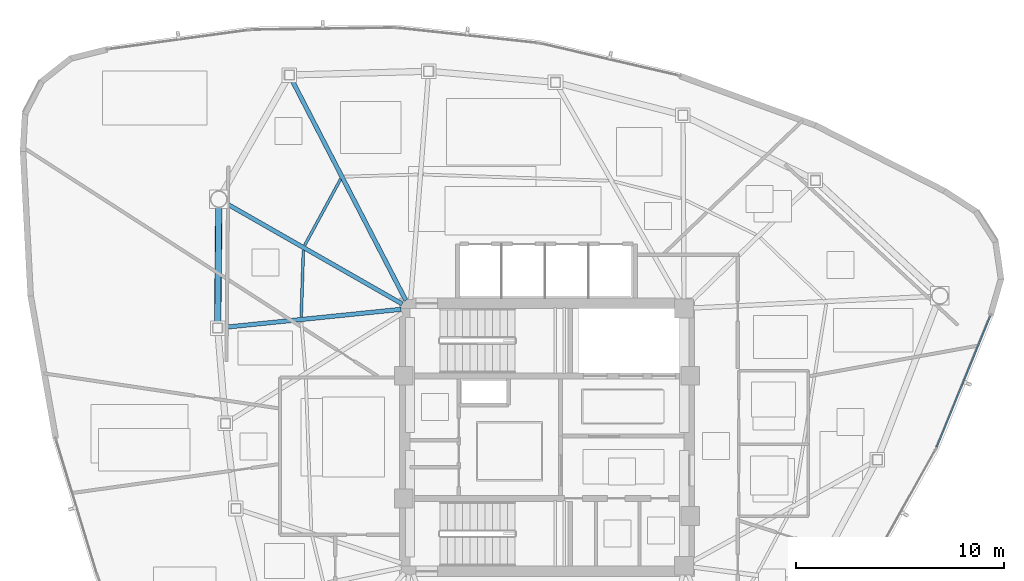
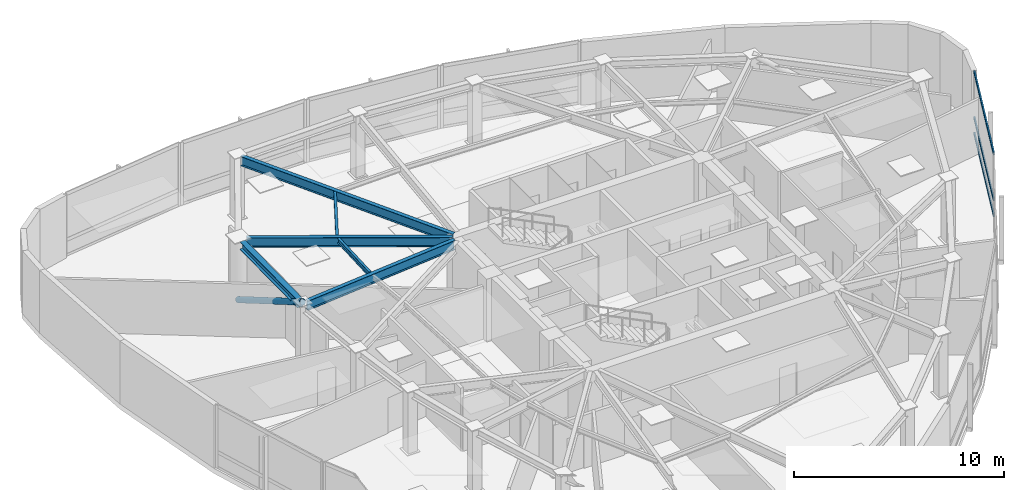
# One storey, part 5 of 14: 6 beams, 4 members, 1 element without a shape of its own.
"""IFC4 building model written with IfcOpenShell, lengths in metres."""

from ifc_helpers import new_model, si_unit, direction, frame, origin, origin_2d, place, context, subcontext, project, spatial, hollow_rectangle, hollow_circle, i_section, extrude, source, transform, mapped, material, layer, layer_set, material_profile, profile_set, type_object, type_shapes, element, aggregate, save


model = new_model("IFC4")

# Units and contexts
model_context = context("Model", 3, precision=1e-05, world=origin(), true_north=direction((0.0, 1.0)))
body_context = subcontext(model_context, "Body", "Model", "MODEL_VIEW")
ifc_project = project(units=[si_unit("LENGTHUNIT", "METRE"), si_unit("AREAUNIT", "SQUARE_METRE"), si_unit("VOLUMEUNIT", "CUBIC_METRE"), si_unit("PLANEANGLEUNIT", "RADIAN"), si_unit("MASSUNIT", "GRAM", prefix="KILO")], contexts=[model_context])

# Site, building, storey
site_placement = place(None, origin())
site = spatial("IfcSite", under=ifc_project, at=site_placement, CompositionType="ELEMENT")
building_placement = place(site_placement, origin())
building = spatial("IfcBuilding", under=site, at=building_placement, Name="Tavelor Broadcast Tower", CompositionType="ELEMENT")
storey_placement = place(building_placement, frame((0.0, 0.0, 253.75)))
storey = spatial("IfcBuildingStorey", under=building, at=storey_placement, Name="L60", CompositionType="ELEMENT", Elevation=253.75)

# Beams
ifc_material_1 = material(Name="Steel S355", Category="steel")
ifc_material_profile_1 = material_profile(ifc_material_1, i_section(OverallWidth=0.135009765625, OverallDepth=0.27001953125, WebThickness=0.006591796875, FlangeThickness=0.01025390625, at=origin_2d()), Name="IPE 270")
ifc_profile_set_1 = profile_set([ifc_material_profile_1], Name="Steel S355")
beam_type_1 = type_object("IfcBeamType", Name="Composite Floor Joist T6 IPE 270", PredefinedType="JOIST", material=ifc_profile_set_1)
beam_1_placement = place(storey_placement, frame((38.266357421875, 53.997314453125, 3.514892578125), z_axis=(-0.03266180387, -0.999466460952, 0.0), x_axis=(0.999466460952, -0.03266180387, 0.0)))
element("IfcBeam", 1, at=beam_1_placement, inside=storey, type_object=beam_type_1, Name="L60 Secondary Composite Floor Joist 01", PredefinedType="JOIST", context=body_context, shape_type="SweptSolid", body=[
    extrude(i_section(OverallWidth=0.135009765625, OverallDepth=0.27001953125, WebThickness=0.006591796875, FlangeThickness=0.01025390625, at=origin_2d()), origin(), (0.0, 0.0, 1.0), 3.19921875),
])
beam_2_placement = place(storey_placement, frame((40.057373046875, 57.42529296875, 3.514892578125), z_axis=(-0.476805519493, -0.879008814848, 0.0), x_axis=(0.879008814848, -0.476805519493, 0.0)))
element("IfcBeam", 2, at=beam_2_placement, inside=storey, type_object=beam_type_1, Name="L60 Secondary Composite Floor Joist 18", PredefinedType="JOIST", context=body_context, shape_type="SweptSolid", body=[
    extrude(i_section(OverallWidth=0.135009765625, OverallDepth=0.27001953125, WebThickness=0.006591796875, FlangeThickness=0.01025390625, at=origin_2d()), origin(), (0.0, 0.0, 1.0), 3.61279296875),
])
ifc_material_profile_2 = material_profile(ifc_material_1, i_section(OverallWidth=0.300048828125, OverallDepth=0.449951171875, WebThickness=0.013916015625, FlangeThickness=0.02587890625, at=origin_2d()), Name="HEB 450")
ifc_profile_set_2 = profile_set([ifc_material_profile_2], Name="Steel S355")
beam_type_2 = type_object("IfcBeamType", Name="Perimeter Spandrel Beam T6 HEB 450", PredefinedType="SPANDREL", material=ifc_profile_set_2)
beam_3_placement = place(storey_placement, frame((34.192626953125, 56.069580078125, 3.425048828125), z_axis=(-0.009548403943, -0.999954412952, 0.0), x_axis=(0.999954412952, -0.009548403943, 0.0)))
element("IfcBeam", 3, at=beam_3_placement, inside=storey, type_object=beam_type_2, Name="L60 Framed-Tube Ring Spandrel 01", PredefinedType="SPANDREL", context=body_context, shape_type="SweptSolid", body=[
    extrude(i_section(OverallWidth=0.300048828125, OverallDepth=0.449951171875, WebThickness=0.013916015625, FlangeThickness=0.02587890625, at=origin_2d()), origin(), (0.0, 0.0, 1.0), 5.573974609375),
])

# Member
ifc_material_profile_3 = material_profile(ifc_material_1, hollow_circle(Radius=0.161865234375, WallThickness=0.01611328125, at=origin_2d()), Name="CHS 323.9x16")
ifc_profile_set_3 = profile_set([ifc_material_profile_3], Name="Steel S355")
member_type_1 = type_object("IfcMemberType", Name="Perimeter Tube Brace T6 CHS 323.9x16", PredefinedType="BRACE", material=ifc_profile_set_3)
member_1_placement = place(storey_placement, frame((34.1962890625, 56.4599609375, 0.0), z_axis=(-0.008207725636, -0.861879024195, 0.507047513447), x_axis=(0.999954658748, -0.009522628184, 0.0)))
element("IfcMember", 4, at=member_1_placement, inside=storey, type_object=member_type_1, Name="L60 Corner Tube Diagonal Brace 1", PredefinedType="BRACE", context=body_context, shape_type="SweptSolid", body=[
    extrude(hollow_circle(Radius=0.161865234375, WallThickness=0.01611328125, at=origin_2d()), origin(), (0.0, 0.0, 1.0), 7.1982421875),
])

# Beams
ifc_material_profile_4 = material_profile(ifc_material_1, i_section(OverallWidth=0.2099609375, OverallDepth=0.550048828125, WebThickness=0.010986328125, FlangeThickness=0.01708984375, at=origin_2d()), Name="IPE 550")
ifc_profile_set_4 = profile_set([ifc_material_profile_4], Name="Steel S355")
beam_type_3 = type_object("IfcBeamType", Name="Radial Floor Girder T6 IPE 550", PredefinedType="BEAM", material=ifc_profile_set_4)
beam_4_placement = place(storey_placement, frame((43.02490234375, 51.414306640625, 3.375), z_axis=(-0.868209338365, 0.496198090259, 0.0), x_axis=(-0.496198090259, -0.868209338365, 0.0)))
element("IfcBeam", 5, at=beam_4_placement, inside=storey, type_object=beam_type_3, Name="L60 Radial Primary Floor Girder 01", PredefinedType="BEAM", context=body_context, shape_type="SweptSolid", body=[
    extrude(i_section(OverallWidth=0.2099609375, OverallDepth=0.550048828125, WebThickness=0.010986328125, FlangeThickness=0.01708984375, at=origin_2d()), origin(), (0.0, 0.0, 1.0), 9.778564453125),
])
beam_5_placement = place(storey_placement, frame((42.97021484375, 51.15625, 3.375), z_axis=(-0.994845668858, -0.101400666436, 0.0), x_axis=(0.101400666436, -0.994845668858, 0.0)))
element("IfcBeam", 6, at=beam_5_placement, inside=storey, type_object=beam_type_3, Name="L60 Radial Primary Floor Girder 02", PredefinedType="BEAM", context=body_context, shape_type="SweptSolid", body=[
    extrude(i_section(OverallWidth=0.2099609375, OverallDepth=0.550048828125, WebThickness=0.010986328125, FlangeThickness=0.01708984375, at=origin_2d()), origin(), (0.0, 0.0, 1.0), 8.638671875),
])
beam_6_placement = place(storey_placement, frame((43.20166015625, 51.583740234375, 3.375), z_axis=(-0.459156775605, 0.888355252934, 0.0), x_axis=(-0.888355252934, -0.459156775605, 0.0)))
element("IfcBeam", 7, at=beam_6_placement, inside=storey, type_object=beam_type_3, Name="L60 Radial Primary Floor Girder 18", PredefinedType="BEAM", context=body_context, shape_type="SweptSolid", body=[
    extrude(i_section(OverallWidth=0.2099609375, OverallDepth=0.550048828125, WebThickness=0.010986328125, FlangeThickness=0.01708984375, at=origin_2d()), origin(), (0.0, 0.0, 1.0), 11.9794921875),
])

# Curtain wall, members
ifc_material_2 = material(Name="Architectural Anodized Aluminium", Category="aluminium")
ifc_layer = layer(ifc_material_2, 0.199951171875)
ifc_layer_set = layer_set([ifc_layer], Name="Architectural Anodized Aluminium")
curtain_wall_type = type_object("IfcCurtainWallType", Name="Tower High-Zone Triple-Glazed Curtain Wall CW04", PredefinedType="NOTDEFINED", material=ifc_layer_set)
curtain_wall_placement = place(storey_placement, origin())
curtain_wall = element("IfcCurtainWall", 8, at=curtain_wall_placement, inside=storey, type_object=curtain_wall_type, Name="L60 Curtain Wall CW04 Run 656", PredefinedType="NOTDEFINED")
ifc_material_profile_5 = material_profile(ifc_material_2, hollow_rectangle(XDim=0.070068359375, YDim=0.199951171875, WallThickness=0.02197265625, at=origin_2d()), Name="RHS 70x200x22")
ifc_profile_set_5 = profile_set([ifc_material_profile_5], Name="Architectural Anodized Aluminium")
member_type_2 = type_object("IfcMemberType", Name="CW04 Extruded Aluminium Transom 70x200", PredefinedType="USERDEFINED", material=ifc_profile_set_5)
shared_shape = source(origin(), body_context, "Body", "SweptSolid", [
    extrude(hollow_rectangle(XDim=0.070068359375, YDim=0.199951171875, WallThickness=0.02197265625, at=origin_2d()), origin(), (0.0, 0.0, 1.0), 6.812255859375),
])
type_shapes(member_type_2, [shared_shape])
member_2_placement = place(storey_placement, frame((68.763427734375, 44.52099609375, 0.034912109375), z_axis=(0.378208574118, 0.925720408365, 0.0), x_axis=(-0.925720408365, 0.378208574118, 0.0)))
member_2 = element("IfcMember", 9, at=member_2_placement, type_object=member_type_2, Name="CW04 transom 1.1", ObjectType="TRANSOM", PredefinedType="USERDEFINED", context=body_context, shape_type="MappedRepresentation", body=[
    mapped(shared_shape, transform((0.0, 0.0, 0.0), scale=1.0)),
])
member_3_placement = place(storey_placement, frame((68.763427734375, 44.52099609375, 0.949951171875), z_axis=(0.378208574118, 0.925720408365, 0.0), x_axis=(-0.925720408365, 0.378208574118, 0.0)))
member_3 = element("IfcMember", 10, at=member_3_placement, type_object=member_type_2, Name="CW04 transom 1.2", ObjectType="TRANSOM", PredefinedType="USERDEFINED", context=body_context, shape_type="MappedRepresentation", body=[
    mapped(shared_shape, transform((0.0, 0.0, 0.0), scale=1.0)),
])
member_4_placement = place(storey_placement, frame((68.763427734375, 44.52099609375, 3.614990234375), z_axis=(0.378208574118, 0.925720408365, 0.0), x_axis=(-0.925720408365, 0.378208574118, 0.0)))
member_4 = element("IfcMember", 11, at=member_4_placement, type_object=member_type_2, Name="CW04 transom 1.3", ObjectType="TRANSOM", PredefinedType="USERDEFINED", context=body_context, shape_type="MappedRepresentation", body=[
    mapped(shared_shape, transform((0.0, 0.0, 0.0), scale=1.0)),
])
aggregate(curtain_wall, [member_2, member_3, member_4])

save(model, "model.ifc")
